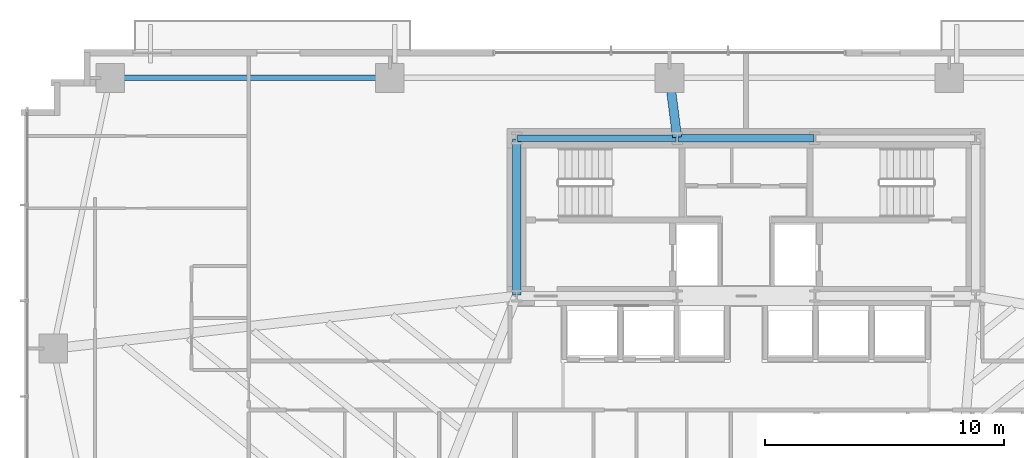
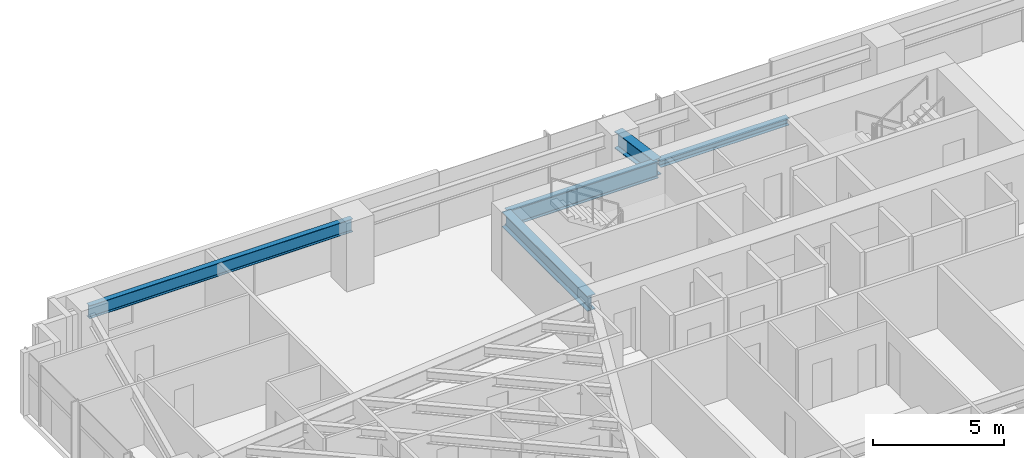
# One storey, part 9 of 25: 5 beams.
"""IFC4 building model written with IfcOpenShell, lengths in metres."""

from ifc_helpers import new_model, si_unit, direction, frame, origin, origin_2d, place, context, subcontext, project, spatial, i_section, extrude, source, transform, mapped, material, material_profile, profile_set, type_object, type_shapes, element, save


model = new_model("IFC4")

# Units and contexts
model_context = context("Model", 3, precision=1e-05, world=origin(), true_north=direction((0.0, 1.0)))
body_context = subcontext(model_context, "Body", "Model", "MODEL_VIEW")
ifc_project = project(units=[si_unit("LENGTHUNIT", "METRE"), si_unit("AREAUNIT", "SQUARE_METRE"), si_unit("VOLUMEUNIT", "CUBIC_METRE"), si_unit("PLANEANGLEUNIT", "RADIAN"), si_unit("MASSUNIT", "GRAM", prefix="KILO")], contexts=[model_context])

# Site, building, storey
site_placement = place(None, origin())
site = spatial("IfcSite", under=ifc_project, at=site_placement, CompositionType="ELEMENT")
building_placement = place(site_placement, origin())
building = spatial("IfcBuilding", under=site, at=building_placement, Name="Astriad Promenade Condominiums", CompositionType="ELEMENT")
storey_placement = place(building_placement, frame((0.0, 0.0, 45.39990234375)))
storey = spatial("IfcBuildingStorey", under=building, at=storey_placement, Name="L12", CompositionType="ELEMENT", Elevation=45.39990234375)

# Beams
ifc_material = material(Name="Steel ASTM A992 Grade 50", Category="steel")
ifc_material_profile_1 = material_profile(ifc_material, i_section(OverallWidth=0.267822265625, OverallDepth=0.76953125, WebThickness=0.015625, FlangeThickness=0.025390625, FilletRadius=0.021484375, at=origin_2d()), Name="W30X132")
ifc_profile_set_1 = profile_set([ifc_material_profile_1], Name="Steel ASTM A992 Grade 50")
beam_type_1 = type_object("IfcBeamType", Name="STEEL FLOOR GIRDER W30X132", PredefinedType="BEAM", material=ifc_profile_set_1)
shared_shape_1 = source(origin(), body_context, "Body", "SweptSolid", [
    extrude(i_section(OverallWidth=0.267822265625, OverallDepth=0.76953125, WebThickness=0.015625, FlangeThickness=0.025390625, FilletRadius=0.021484375, at=origin_2d()), origin(), (0.0, 0.0, 1.0), 6.64013671875),
])
type_shapes(beam_type_1, [shared_shape_1])
beam_1_placement = place(storey_placement, frame((26.43994140625, 24.0, 2.55517578125), z_axis=(1.0, 0.0, 0.0), x_axis=(0.0, 1.0, 0.0)))
element("IfcBeam", 1, at=beam_1_placement, inside=storey, type_object=beam_type_1, Name="Core Ring Beam CG-N1-L12", PredefinedType="BEAM", context=body_context, shape_type="MappedRepresentation", body=[
    mapped(shared_shape_1, transform((0.0, 0.0, 0.0), scale=1.0)),
])
ifc_material_profile_2 = material_profile(ifc_material, i_section(OverallWidth=0.3046875, OverallDepth=0.307861328125, WebThickness=0.010009765625, FlangeThickness=0.015380859375, FilletRadius=0.01513671875, at=origin_2d()), Name="W12X65")
ifc_profile_set_2 = profile_set([ifc_material_profile_2], Name="Steel ASTM A992 Grade 50")
beam_type_2 = type_object("IfcBeamType", Name="STEEL OPENING LINTEL W12X65", PredefinedType="LINTEL", material=ifc_profile_set_2)
shared_shape_2 = source(origin(), body_context, "Body", "SweptSolid", [
    extrude(i_section(OverallWidth=0.3046875, OverallDepth=0.307861328125, WebThickness=0.010009765625, FlangeThickness=0.015380859375, FilletRadius=0.01513671875, at=origin_2d()), origin(), (0.0, 0.0, 1.0), 5.68017578125),
])
type_shapes(beam_type_2, [shared_shape_2])
beam_2_placement = place(storey_placement, frame((33.159912109375, 24.0, 2.7861328125), z_axis=(1.0, 0.0, 0.0), x_axis=(0.0, 1.0, 0.0)))
element("IfcBeam", 2, at=beam_2_placement, inside=storey, type_object=beam_type_2, Name="Core Ring Beam CG-N2-L12", PredefinedType="LINTEL", context=body_context, shape_type="MappedRepresentation", body=[
    mapped(shared_shape_2, transform((0.0, 0.0, 0.0), scale=1.0)),
])
ifc_material_profile_3 = material_profile(ifc_material, i_section(OverallWidth=0.35791015625, OverallDepth=0.706298828125, WebThickness=0.018310546875, FlangeThickness=0.0302734375, FilletRadius=0.020263671875, at=origin_2d()), Name="W27X178")
ifc_profile_set_3 = profile_set([ifc_material_profile_3], Name="Steel ASTM A992 Grade 50")
beam_type_3 = type_object("IfcBeamType", Name="STEEL FLOOR GIRDER W27X178", PredefinedType="BEAM", material=ifc_profile_set_3)
shared_shape_3 = source(origin(), body_context, "Body", "SweptSolid", [
    extrude(i_section(OverallWidth=0.35791015625, OverallDepth=0.706298828125, WebThickness=0.018310546875, FlangeThickness=0.0302734375, FilletRadius=0.020263671875, at=origin_2d()), origin(), (0.0, 0.0, 1.0), 6.52001953125),
])
type_shapes(beam_type_3, [shared_shape_3])
beam_3_placement = place(storey_placement, frame((26.39990234375, 17.43994140625, 2.5869140625), z_axis=(0.0, 1.0, 0.0), x_axis=(-1.0, 0.0, 0.0)))
element("IfcBeam", 3, at=beam_3_placement, inside=storey, type_object=beam_type_3, Name="Core Ring Beam CG-W1-L12", PredefinedType="BEAM", context=body_context, shape_type="MappedRepresentation", body=[
    mapped(shared_shape_3, transform((0.0, 0.0, 0.0), scale=1.0)),
])
ifc_material_profile_4 = material_profile(ifc_material, i_section(OverallWidth=0.22900390625, OverallDepth=0.612060546875, WebThickness=0.011962890625, FlangeThickness=0.01953125, FilletRadius=0.017822265625, at=origin_2d()), Name="W24X84")
ifc_profile_set_4 = profile_set([ifc_material_profile_4], Name="Steel ASTM A992 Grade 50")
beam_type_4 = type_object("IfcBeamType", Name="STEEL SPANDREL BEAM W24X84", PredefinedType="SPANDREL", material=ifc_profile_set_4)
shared_shape_4 = source(origin(), body_context, "Body", "SweptSolid", [
    extrude(i_section(OverallWidth=0.22900390625, OverallDepth=0.612060546875, WebThickness=0.011962890625, FlangeThickness=0.01953125, FilletRadius=0.017822265625, at=origin_2d()), origin(), (0.0, 0.0, 1.0), 11.6201171875),
])
type_shapes(beam_type_4, [shared_shape_4])
beam_4_placement = place(storey_placement, frame((21.06005859375, 26.52001953125, 2.634033203125), z_axis=(-1.0, 0.0, 0.0), x_axis=(0.0, -1.0, 0.0)))
element("IfcBeam", 4, at=beam_4_placement, inside=storey, type_object=beam_type_4, Name="Perimeter Spandrel Beam SP-N1-L12", PredefinedType="SPANDREL", context=body_context, shape_type="MappedRepresentation", body=[
    mapped(shared_shape_4, transform((0.0, 0.0, 0.0), scale=1.0)),
])
ifc_material_profile_5 = material_profile(ifc_material, i_section(OverallWidth=0.3837890625, OverallDepth=0.785888671875, WebThickness=0.019775390625, FlangeThickness=0.033447265625, FilletRadius=0.021484375, at=origin_2d()), Name="W30X211")
ifc_profile_set_5 = profile_set([ifc_material_profile_5], Name="Steel ASTM A992 Grade 50")
beam_type_5 = type_object("IfcBeamType", Name="STEEL FLOOR GIRDER W30X211", PredefinedType="BEAM", material=ifc_profile_set_5)
shared_shape_5 = source(origin(), body_context, "Body", "SweptSolid", [
    extrude(i_section(OverallWidth=0.3837890625, OverallDepth=0.785888671875, WebThickness=0.019775390625, FlangeThickness=0.033447265625, FilletRadius=0.021484375, at=origin_2d()), origin(), (0.0, 0.0, 1.0), 2.4599609375),
])
type_shapes(beam_type_5, [shared_shape_5])
beam_5_placement = place(storey_placement, frame((32.804931640625, 26.480224609375, 2.547119140625), z_axis=(0.126037648346, -0.992025458947, 0.0), x_axis=(0.992025458947, 0.126037648346, 0.0)))
element("IfcBeam", 5, at=beam_5_placement, inside=storey, type_object=beam_type_5, Name="Primary Floor Girder PG-NC-L12", PredefinedType="BEAM", context=body_context, shape_type="MappedRepresentation", body=[
    mapped(shared_shape_5, transform((0.0, 0.0, 0.0), scale=1.0)),
])

save(model, "model.ifc")
